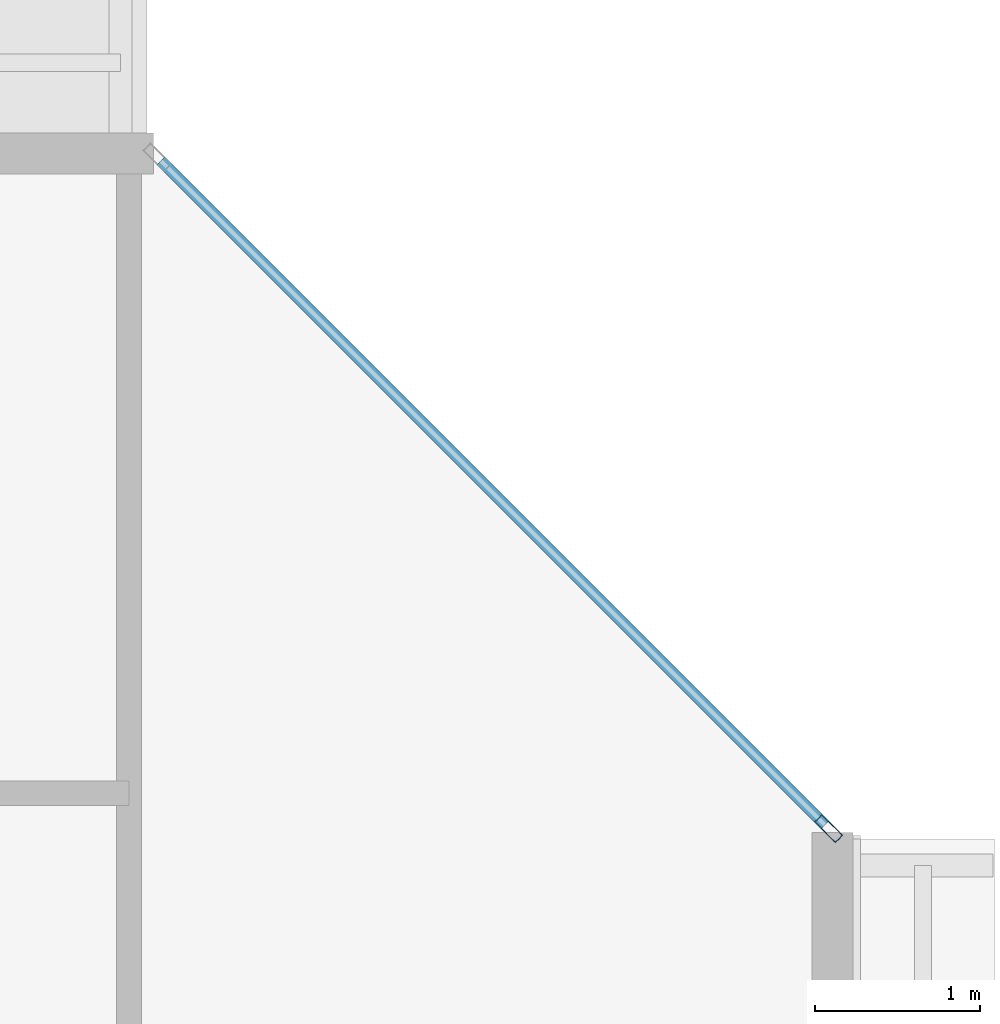
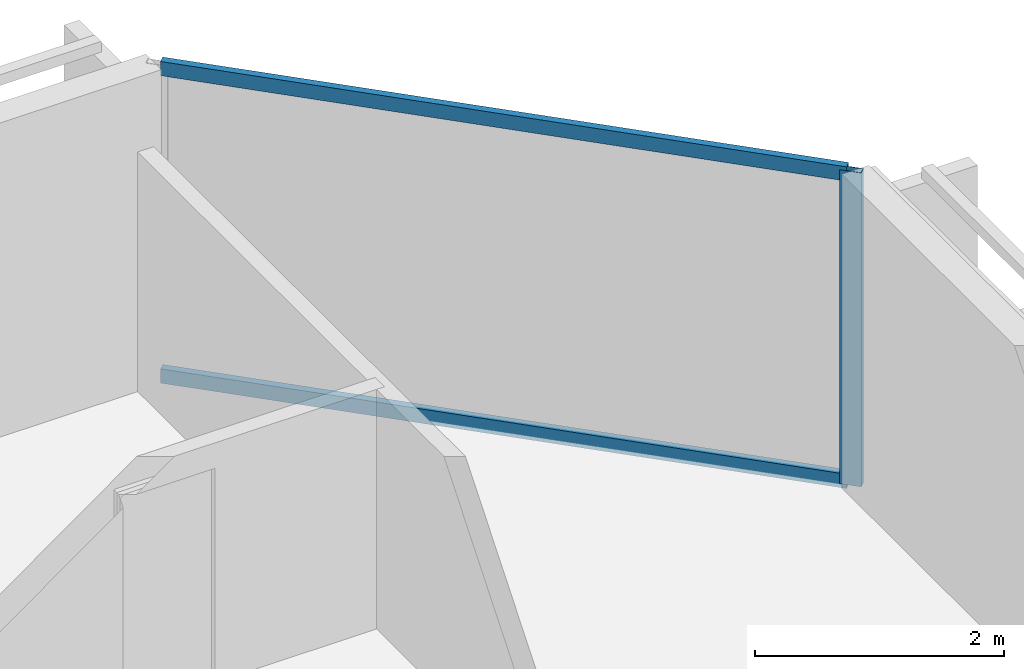
# One storey, part 19 of 35: 3 members, 1 element without a shape of its own.
"""IFC4 building model written with IfcOpenShell, lengths in metres."""

from ifc_helpers import new_model, si_unit, direction, frame, origin, origin_2d, place, context, subcontext, project, spatial, hollow_rectangle, extrude, material, layer, layer_set, material_profile, profile_set, type_object, element, aggregate, save


model = new_model("IFC4")

# Units and contexts
model_context = context("Model", 3, precision=1e-05, world=origin(), true_north=direction((0.0, 1.0)))
body_context = subcontext(model_context, "Body", "Model", "MODEL_VIEW")
ifc_project = project(units=[si_unit("LENGTHUNIT", "METRE"), si_unit("AREAUNIT", "SQUARE_METRE"), si_unit("VOLUMEUNIT", "CUBIC_METRE"), si_unit("PLANEANGLEUNIT", "RADIAN"), si_unit("MASSUNIT", "GRAM", prefix="KILO")], contexts=[model_context])

# Site, building, storey
site_placement = place(None, origin())
site = spatial("IfcSite", under=ifc_project, at=site_placement, CompositionType="ELEMENT")
building_placement = place(site_placement, origin())
building = spatial("IfcBuilding", under=site, at=building_placement, Name="Tanjung Sevakor Pilgrim Tower", CompositionType="ELEMENT")
storey_placement = place(building_placement, frame((0.0, 0.0, 92.070068359375)))
storey = spatial("IfcBuildingStorey", under=building, at=storey_placement, Name="L25", CompositionType="ELEMENT", Elevation=92.070068359375)

# Curtain wall, members
ifc_material_1 = material(Name="Aluminium 6063-T6 and Low-E Glass", Category="aluminium")
ifc_layer = layer(ifc_material_1, 0.179931640625)
ifc_layer_set = layer_set([ifc_layer], Name="CW-SYS-CHAM")
curtain_wall_type = type_object("IfcCurtainWallType", Name="CW-SYS-CHAM", PredefinedType="NOTDEFINED", material=ifc_layer_set)
curtain_wall_placement = place(storey_placement, origin())
curtain_wall = element("IfcCurtainWall", 1, at=curtain_wall_placement, inside=storey, type_object=curtain_wall_type, Name="L25 Curtain Wall CW-CHM-L25-MAIN-7", PredefinedType="NOTDEFINED")
ifc_material_2 = material(Name="Aluminium 6063-T6", Category="aluminium")
ifc_material_profile_1 = material_profile(ifc_material_2, hollow_rectangle(XDim=0.06494140625, YDim=0.179931640625, WallThickness=0.00390625, at=origin_2d()))
ifc_profile_set_1 = profile_set([ifc_material_profile_1], Name="Aluminium 6063-T6")
member_type_1 = type_object("IfcMemberType", Name="TYPE-CWM-1", PredefinedType="MULLION", material=ifc_profile_set_1)
member_1_placement = place(storey_placement, frame((100.251953125, 53.37109375, 0.0), z_axis=(0.0, 0.0, 1.0), x_axis=(-0.707106781187, -0.707106781187, 0.0)))
member_1 = element("IfcMember", 2, at=member_1_placement, type_object=member_type_1, Name="CW-CHM mullion 1", PredefinedType="MULLION", context=body_context, shape_type="SweptSolid", body=[
    extrude(hollow_rectangle(XDim=0.06494140625, YDim=0.179931640625, WallThickness=0.00390625, at=origin_2d()), origin(), (0.0, 0.0, 1.0), 3.079833984375),
])
ifc_material_3 = material(Name="Aluminium 6063-T6", Category="aluminium")
ifc_material_profile_2 = material_profile(ifc_material_3, hollow_rectangle(XDim=0.06494140625, YDim=0.139892578125, WallThickness=0.00390625, at=origin_2d()))
ifc_profile_set_2 = profile_set([ifc_material_profile_2], Name="Aluminium 6063-T6")
member_type_2 = type_object("IfcMemberType", Name="TYPE-CWT-1", PredefinedType="USERDEFINED", material=ifc_profile_set_2)
member_2_placement = place(storey_placement, frame((100.22900390625, 53.39404296875, 0.032470703125), z_axis=(-0.707106781187, 0.707106781187, 0.0), x_axis=(-0.707106781187, -0.707106781187, 0.0)))
member_2 = element("IfcMember", 3, at=member_2_placement, type_object=member_type_2, Name="CW-CHM transom 1.1", ObjectType="TRANSOM", PredefinedType="USERDEFINED", context=body_context, shape_type="SweptSolid", body=[
    extrude(hollow_rectangle(XDim=0.06494140625, YDim=0.139892578125, WallThickness=0.00390625, at=origin_2d()), origin(), (0.0, 0.0, 1.0), 5.706298828125),
])
member_3_placement = place(storey_placement, frame((100.22900390625, 53.39404296875, 3.04736328125), z_axis=(-0.707106781187, 0.707106781187, 0.0), x_axis=(-0.707106781187, -0.707106781187, 0.0)))
member_3 = element("IfcMember", 4, at=member_3_placement, type_object=member_type_2, Name="CW-CHM transom 1.2", ObjectType="TRANSOM", PredefinedType="USERDEFINED", context=body_context, shape_type="SweptSolid", body=[
    extrude(hollow_rectangle(XDim=0.06494140625, YDim=0.139892578125, WallThickness=0.00390625, at=origin_2d()), origin(), (0.0, 0.0, 1.0), 5.706298828125),
])
aggregate(curtain_wall, [member_1, member_2, member_3])

save(model, "model.ifc")
